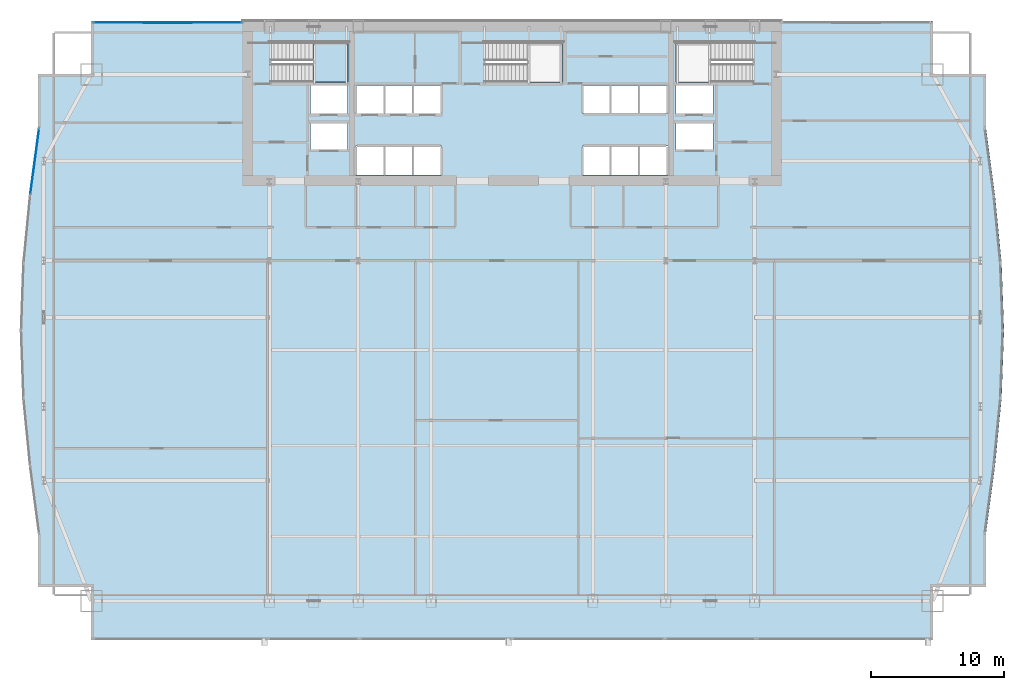
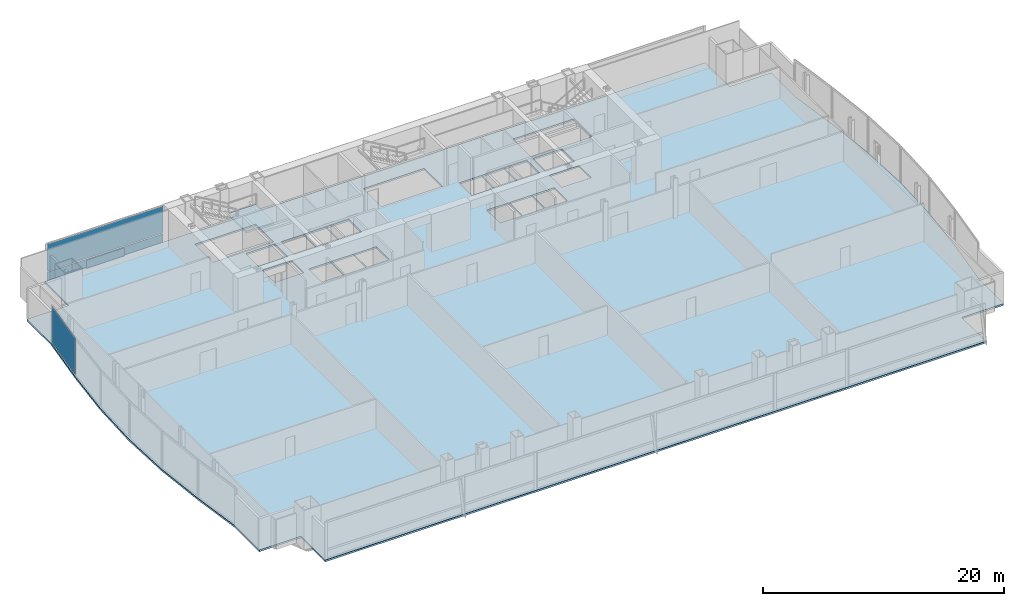
# One storey, part 26 of 35: 4 plates, 2 slabs, 3 elements without a shape of their own.
"""IFC4 building model written with IfcOpenShell, lengths in metres."""

import ifcopenshell
import ifcopenshell.guid

model = None  # the IFC model being written
_history = None  # IfcOwnerHistory: only IFC2X3 demands one
_inside = {}  # id of a spatial element -> (the spatial element, [elements in it])
_under = {}  # id of a project, library or spatial element -> (it, [spatial elements below it])
_declared = {}  # id of a project -> (the project, [libraries it declares])
_typed = {}  # id of a type object -> (the type object, [elements of that type])
_made_of = {}  # id of a material, layer set ... -> (it, [elements and type objects made of it])


def new_model(schema):
    """Start an empty IFC model of exactly this schema.

    Asked for "IFC4X3", IfcOpenShell would pick the latest addendum, in which some entities
    have other attributes; the version numbers below select the first issue.
    IFC2X3 requires an IfcOwnerHistory on every rooted entity: one is made here for all.
    """
    global model, _history
    if schema == "IFC4X3":
        model = ifcopenshell.file(schema_version=(4, 3, 0, 0))
    else:
        model = ifcopenshell.file(schema=schema)
    _inside.clear()
    _under.clear()
    _declared.clear()
    _typed.clear()
    _made_of.clear()
    _history = None
    if model.schema == "IFC2X3":
        org = make("IfcOrganization", Name="unknown")
        user = make(
            "IfcPersonAndOrganization",
            ThePerson=make("IfcPerson", FamilyName="unknown"),
            TheOrganization=org,
        )
        app = make(
            "IfcApplication",
            ApplicationDeveloper=org,
            Version="unknown",
            ApplicationFullName="unknown",
            ApplicationIdentifier="unknown",
        )
        _history = make(
            "IfcOwnerHistory",
            OwningUser=user,
            OwningApplication=app,
            ChangeAction="ADDED",
            CreationDate=0,
        )
    return model


def make(cls, **values):
    """One entity of the class cls with the attributes given. An attribute that is None is left unset."""
    return model.create_entity(
        cls, **{name: value for name, value in values.items() if value is not None}
    )


def rooted(cls, **values):
    """An entity with a GlobalId (a new one), such as an element, a storey or a relation."""
    return make(cls, GlobalId=ifcopenshell.guid.new(), OwnerHistory=_history, **values)


def si_unit(unit_type, name, prefix=None):
    """IfcSIUnit, for example si_unit("LENGTHUNIT", "METRE", prefix="MILLI")."""
    return make("IfcSIUnit", UnitType=unit_type, Prefix=prefix, Name=name)


def assignment(units):
    """IfcUnitAssignment: the units of a project."""
    return None if units is None else make("IfcUnitAssignment", Units=units)


def point(xyz):
    """IfcCartesianPoint."""
    return None if xyz is None else make("IfcCartesianPoint", Coordinates=xyz)


def direction(xyz):
    """IfcDirection."""
    return None if xyz is None else make("IfcDirection", DirectionRatios=xyz)


def frame(location, z_axis=None, x_axis=None):
    """IfcAxis2Placement3D, a coordinate frame: its origin and axes. An axis left out is left unset."""
    return make(
        "IfcAxis2Placement3D",
        Location=point(location),
        Axis=direction(z_axis),
        RefDirection=direction(x_axis),
    )


def frame_2d(location, x_axis=None):
    """IfcAxis2Placement2D, a coordinate frame in the plane: its origin and x axis."""
    return make(
        "IfcAxis2Placement2D", Location=point(location), RefDirection=direction(x_axis)
    )


def origin():
    """The frame at (0, 0, 0) with its axes left unset."""
    return frame((0.0, 0.0, 0.0))


def origin_2d():
    """The frame at (0, 0) in the plane with its x axis left unset."""
    return frame_2d((0.0, 0.0))


def place(relative_to, where):
    """IfcLocalPlacement: puts the frame where relative to a parent placement (None: the world)."""
    return make(
        "IfcLocalPlacement", PlacementRelTo=relative_to, RelativePlacement=where
    )


def context(
    kind, dimensions, precision=None, world=None, true_north=None, identifier=None
):
    """IfcGeometricRepresentationContext, for example the 3D "Model" context."""
    return make(
        "IfcGeometricRepresentationContext",
        ContextIdentifier=identifier,
        ContextType=kind,
        CoordinateSpaceDimension=dimensions,
        Precision=precision,
        WorldCoordinateSystem=world,
        TrueNorth=true_north,
    )


def subcontext(parent, identifier, kind, view, scale=None):
    """IfcGeometricRepresentationSubContext, for example "Body" below "Model"."""
    return make(
        "IfcGeometricRepresentationSubContext",
        ContextIdentifier=identifier,
        ContextType=kind,
        ParentContext=parent,
        TargetScale=scale,
        TargetView=view,
    )


def project(units=None, contexts=None):
    """IfcProject with its units and contexts."""
    return rooted(
        "IfcProject",
        Name="project",
        RepresentationContexts=contexts,
        UnitsInContext=assignment(units),
    )


def spatial(cls, under=None, at=None, **own):
    """A site, building, storey or space (cls), placed at a placement, below another one or the project."""
    s = rooted(cls, ObjectPlacement=at, **own)
    if under is not None:
        _under.setdefault(under.id(), (under, []))[1].append(s)
    return s


def polyline(points):
    """IfcPolyline through the points."""
    return make("IfcPolyline", Points=[point(p) for p in points])


def profile(cls, at=None, kind="AREA", **sizes):
    """A parametric profile (cls). Its sizes go by their IFC names, for example OverallWidth=200.0."""
    return make(cls, ProfileType=kind, Position=at, **sizes)


def rectangle(**sizes):
    """IfcRectangleProfileDef."""
    return profile("IfcRectangleProfileDef", **sizes)


def outline(outer, holes=None, kind="AREA"):
    """IfcArbitraryClosedProfileDef: a profile drawn as a closed curve; with holes, ...WithVoids."""
    if holes is None:
        return make("IfcArbitraryClosedProfileDef", ProfileType=kind, OuterCurve=outer)
    return make(
        "IfcArbitraryProfileDefWithVoids",
        ProfileType=kind,
        OuterCurve=outer,
        InnerCurves=holes,
    )


def extrude(swept, where, along, depth):
    """IfcExtrudedAreaSolid: the profile swept, set in the frame where, extruded along a direction by depth."""
    return make(
        "IfcExtrudedAreaSolid",
        SweptArea=swept,
        Position=where,
        ExtrudedDirection=direction(along),
        Depth=depth,
    )


def shape(context_of_items, identifier, shape_type, items):
    """IfcShapeRepresentation: the items that make up one representation, for example the "Body"."""
    return make(
        "IfcShapeRepresentation",
        ContextOfItems=context_of_items,
        RepresentationIdentifier=identifier,
        RepresentationType=shape_type,
        Items=items,
    )


def material(Name=None, Category=None):
    """IfcMaterial."""
    return make("IfcMaterial", Name=Name, Category=Category)


def layer(
    of_material, thickness, ventilated=None, Name=None, Category=None, Priority=None
):
    """IfcMaterialLayer: one layer of a wall or slab, of a material (None: an air gap)."""
    return make(
        "IfcMaterialLayer",
        Material=of_material,
        LayerThickness=thickness,
        IsVentilated=ventilated,
        Name=Name,
        Category=Category,
        Priority=Priority,
    )


def layer_set(layers, Name=None):
    """IfcMaterialLayerSet."""
    return make("IfcMaterialLayerSet", MaterialLayers=layers, LayerSetName=Name)


def made_of(thing, what):
    """Note that an element or type object is made of a material, layer set ...; save() writes the relation."""
    if what is not None:
        _made_of.setdefault(what.id(), (what, []))[1].append(thing)
    return thing


def type_object(cls, material=None, **own):
    """A type object (cls), such as IfcWallType, which elements share."""
    return made_of(rooted(cls, **own), material)


def element(
    cls,
    number,
    at=None,
    inside=None,
    cuts=None,
    type_object=None,
    material=None,
    context=None,
    identifier="Body",
    shape_type=None,
    held_by="IfcProductDefinitionShape",
    body=None,
    shapes=None,
    **own,
):
    """One element of the class cls, such as IfcWall. Its Tag is "e" and its number.

    at: its placement. inside: the storey or other place that contains it. cuts: it is an
    opening in that element (IfcRelVoidsElement). A single representation is given by context,
    identifier, shape_type and body (its items); several are given by shapes. held_by: the class
    of the entity that holds the representations. save() writes the other relations.
    """
    e = rooted(cls, Tag="e%d" % number, ObjectPlacement=at, **own)
    if body is not None:
        shapes = [shape(context, identifier, shape_type, body)]
    if shapes is not None:
        e.Representation = make(held_by, Representations=shapes)
    if inside is not None:
        _inside.setdefault(inside.id(), (inside, []))[1].append(e)
    if cuts is not None:
        rooted(
            "IfcRelVoidsElement", RelatingBuildingElement=cuts, RelatedOpeningElement=e
        )
    if type_object is not None:
        _typed.setdefault(type_object.id(), (type_object, []))[1].append(e)
    return made_of(e, material)


def aggregate(whole, parts):
    """IfcRelAggregates: a whole, such as a stair, and the parts it consists of."""
    return rooted("IfcRelAggregates", RelatingObject=whole, RelatedObjects=parts)


def save(model, path):
    """Write the relations noted so far, then the file.

    IfcRelAggregates (storeys below a building ...), IfcRelContainedInSpatialStructure (elements
    in a storey), IfcRelDefinesByType, IfcRelAssociatesMaterial and IfcRelDeclares: one each for
    every whole, place, type object, material and project.
    """
    for whole, parts in _under.values():
        aggregate(whole, parts)
    for where, things in _inside.values():
        rooted(
            "IfcRelContainedInSpatialStructure",
            RelatedElements=things,
            RelatingStructure=where,
        )
    for kind, things in _typed.values():
        rooted("IfcRelDefinesByType", RelatedObjects=things, RelatingType=kind)
    for what, things in _made_of.values():
        rooted("IfcRelAssociatesMaterial", RelatedObjects=things, RelatingMaterial=what)
    for by, libraries in _declared.values():
        rooted("IfcRelDeclares", RelatingContext=by, RelatedDefinitions=libraries)
    model.write(path)


model = new_model("IFC4")

# Units and contexts
model_context = context("Model", 3, precision=1e-05, world=origin(), true_north=direction((0.0, 1.0)))
body_context = subcontext(model_context, "Body", "Model", "MODEL_VIEW")
ifc_project = project(units=[si_unit("LENGTHUNIT", "METRE"), si_unit("AREAUNIT", "SQUARE_METRE"), si_unit("VOLUMEUNIT", "CUBIC_METRE"), si_unit("PLANEANGLEUNIT", "RADIAN"), si_unit("MASSUNIT", "GRAM", prefix="KILO")], contexts=[model_context])

# Site, building, storey
site_placement = place(None, origin())
site = spatial("IfcSite", under=ifc_project, at=site_placement, CompositionType="ELEMENT")
building_placement = place(site_placement, origin())
building = spatial("IfcBuilding", under=site, at=building_placement, Name="Khoronbel Lancet Exchange", CompositionType="ELEMENT")
storey_placement = place(building_placement, frame((0.0, 0.0, 69.800048828125)))
storey = spatial("IfcBuildingStorey", under=building, at=storey_placement, Name="L16", CompositionType="ELEMENT", Elevation=69.800048828125)

# Curtain wall, plates
ifc_material_1 = material(Name="Low-E Solar Control Insulating Glass", Category="glass")
curtain_wall_type_1 = type_object("IfcCurtainWallType", Name="CW-1", PredefinedType="NOTDEFINED", material=ifc_material_1)
curtain_wall_1_placement = place(storey_placement, origin())
curtain_wall_1 = element("IfcCurtainWall", 1, at=curtain_wall_1_placement, inside=storey, type_object=curtain_wall_type_1, Name="Unitised curtain wall CW-L16-NWFLK", PredefinedType="NOTDEFINED")
ifc_material_2 = material(Name="Bronze-Anodised Aluminium 6063-T6", Category="aluminium")
ifc_layer_1 = layer(ifc_material_2, 0.050048828125, Name="Bronze-Anodised Aluminium 6063-T6")
ifc_layer_set_1 = layer_set([ifc_layer_1], Name="Bronze-Anodised Aluminium 6063-T6")
plate_type_1 = type_object("IfcPlateType", Name="PLT-CSP1", PredefinedType="SHEET", material=ifc_layer_set_1)
plate_1_placement = place(storey_placement, frame((10.580078125, 53.550048828125, 0.0498046875), z_axis=(0.0, 0.0, 1.0), x_axis=(-1.0, 0.0, 0.0)))
plate_1 = element("IfcPlate", 2, at=plate_1_placement, type_object=plate_type_1, Name="Insulated bronze spandrel cassette CW-L16-NWFLK", PredefinedType="SHEET", context=body_context, shape_type="SweptSolid", body=[
    extrude(rectangle(XDim=3.60009765625, YDim=0.050048828125, at=origin_2d()), origin(), (0.0, 0.0, 1.0), 0.800048828125),
])
ifc_layer_2 = layer(ifc_material_1, 0.035888671875, Name="Low-E Solar Control Insulating Glass")
ifc_layer_set_2 = layer_set([ifc_layer_2], Name="Low-E Solar Control Insulating Glass")
plate_type_2 = type_object("IfcPlateType", Name="PLT-CWP1", PredefinedType="CURTAIN_PANEL", material=ifc_layer_set_2)
plate_2_placement = place(storey_placement, frame((10.580078125, 53.610107421875, 0.0849609375), z_axis=(0.0, 0.0, 1.0), x_axis=(-1.0, 0.0, 0.0)))
plate_2 = element("IfcPlate", 3, at=plate_2_placement, type_object=plate_type_2, Name="CW1 panel 1.1", PredefinedType="CURTAIN_PANEL", context=body_context, shape_type="SweptSolid", body=[
    extrude(rectangle(XDim=11.110107421875, YDim=0.0380859375, at=origin_2d()), origin(), (0.0, 0.0, 1.0), 0.822509765625),
])
plate_3_placement = place(storey_placement, frame((10.580078125, 53.610107421875, 0.99267578125), z_axis=(0.0, 0.0, 1.0), x_axis=(-1.0, 0.0, 0.0)))
plate_3 = element("IfcPlate", 4, at=plate_3_placement, type_object=plate_type_2, Name="CW1 panel 1.2", PredefinedType="CURTAIN_PANEL", context=body_context, shape_type="SweptSolid", body=[
    extrude(rectangle(XDim=11.110107421875, YDim=0.0380859375, at=origin_2d()), origin(), (0.0, 0.0, 1.0), 2.742431640625),
])
aggregate(curtain_wall_1, [plate_2, plate_3, plate_1])

# Curtain wall, plate
curtain_wall_type_2 = type_object("IfcCurtainWallType", Name="CW-4", PredefinedType="NOTDEFINED", material=ifc_material_1)
curtain_wall_2_placement = place(storey_placement, origin())
curtain_wall_2 = element("IfcCurtainWall", 5, at=curtain_wall_2_placement, inside=storey, type_object=curtain_wall_type_2, Name="Unitised curtain wall CW-L16-E09", PredefinedType="NOTDEFINED")
ifc_material_3 = material(Name="Ceramic-Fritted Laminated Insulating Glass", Category="glass")
ifc_layer_3 = layer(ifc_material_3, 0.0419921875, Name="Ceramic-Fritted Laminated Insulating Glass")
ifc_layer_set_3 = layer_set([ifc_layer_3], Name="Ceramic-Fritted Laminated Insulating Glass")
plate_type_3 = type_object("IfcPlateType", Name="PLT-CWP2", PredefinedType="CURTAIN_PANEL", material=ifc_layer_set_3)
plate_4_placement = place(storey_placement, frame((0.600830078125, 43.150146484375, 0.0849609375), z_axis=(0.0, 0.0, 1.0), x_axis=(0.132154786724, 0.991229091757, 0.0)))
plate_4 = element("IfcPlate", 6, at=plate_4_placement, type_object=plate_type_3, Name="CW4 panel 1.1", PredefinedType="CURTAIN_PANEL", context=body_context, shape_type="SweptSolid", body=[
    extrude(rectangle(XDim=4.982666015625, YDim=0.0380859375, at=origin_2d()), origin(), (0.0, 0.0, 1.0), 3.64990234375),
])
aggregate(curtain_wall_2, [plate_4])

# Slab
ifc_material_4 = material(Name="Concrete C40/50", Category="concrete")
ifc_layer_4 = layer(ifc_material_4, 0.179931640625, Name="Concrete C40/50")
ifc_layer_set_4 = layer_set([ifc_layer_4], Name="Concrete C40/50")
slab_type_1 = type_object("IfcSlabType", Name="SL-FL180", PredefinedType="FLOOR", material=ifc_layer_set_4)
slab_1_placement = place(storey_placement, frame((0.0, 0.0, -0.179931640625)))
element("IfcSlab", 7, at=slab_1_placement, inside=storey, type_object=slab_type_1, Name="Level L16 composite structural floor slab", PredefinedType="FLOOR", context=body_context, shape_type="SweptSolid", body=[
    extrude(outline(polyline([(4.85009765625, 7.199951171875), (68.050048828125, 7.199951171875), (68.050048828125, 11.199951171875), (72.050048828125, 11.199951171875), (72.050048828125, 15.199951171875), (72.727783203125, 20.283203125), (73.223876953125, 25.36669921875), (73.405517578125, 30.449951171875), (73.223876953125, 35.533203125), (72.727783203125, 40.61669921875), (72.050048828125, 45.699951171875), (72.050048828125, 49.699951171875), (68.050048828125, 49.699951171875), (68.050048828125, 53.699951171875), (4.85009765625, 53.699951171875), (4.85009765625, 49.699951171875), (0.85009765625, 49.699951171875), (0.85009765625, 45.699951171875), (0.17236328125, 40.61669921875), (-0.32373046875, 35.533203125), (-0.50537109375, 30.449951171875), (-0.32373046875, 25.36669921875), (0.17236328125, 20.283203125), (0.85009765625, 15.199951171875), (0.85009765625, 11.199951171875), (4.85009765625, 11.199951171875), (4.85009765625, 7.199951171875)]), holes=[polyline([(18.324951171875, 49.1201171875), (24.14990234375, 49.1201171875), (24.14990234375, 52.10009765625), (18.324951171875, 52.10009765625), (18.324951171875, 49.1201171875)]), polyline([(48.75, 49.1201171875), (54.574951171875, 49.1201171875), (54.574951171875, 52.10009765625), (48.75, 52.10009765625), (48.75, 49.1201171875)]), polyline([(34.425048828125, 49.1201171875), (40.25, 49.1201171875), (40.25, 52.10009765625), (34.425048828125, 52.10009765625), (34.425048828125, 49.1201171875)]), polyline([(24.699951171875, 46.75), (26.840087890625, 46.75), (26.840087890625, 48.85009765625), (24.699951171875, 48.85009765625), (24.699951171875, 46.75)]), polyline([(26.860107421875, 46.75), (29.0, 46.75), (29.0, 48.85009765625), (26.860107421875, 48.85009765625), (26.860107421875, 46.75)]), polyline([(29.02001953125, 46.75), (31.159912109375, 46.75), (31.159912109375, 48.85009765625), (29.02001953125, 48.85009765625), (29.02001953125, 46.75)]), polyline([(24.699951171875, 42.14990234375), (26.840087890625, 42.14990234375), (26.840087890625, 44.300048828125), (24.699951171875, 44.300048828125), (24.699951171875, 42.14990234375)]), polyline([(26.860107421875, 42.14990234375), (29.0, 42.14990234375), (29.0, 44.300048828125), (26.860107421875, 44.300048828125), (26.860107421875, 42.14990234375)]), polyline([(29.02001953125, 42.14990234375), (31.159912109375, 42.14990234375), (31.159912109375, 44.300048828125), (29.02001953125, 44.300048828125), (29.02001953125, 42.14990234375)]), polyline([(41.739990234375, 46.75), (43.8798828125, 46.75), (43.8798828125, 48.85009765625), (41.739990234375, 48.85009765625), (41.739990234375, 46.75)]), polyline([(43.89990234375, 46.75), (46.0400390625, 46.75), (46.0400390625, 48.85009765625), (43.89990234375, 48.85009765625), (43.89990234375, 46.75)]), polyline([(46.06005859375, 46.75), (48.199951171875, 46.75), (48.199951171875, 48.85009765625), (46.06005859375, 48.85009765625), (46.06005859375, 46.75)]), polyline([(41.739990234375, 42.14990234375), (43.8798828125, 42.14990234375), (43.8798828125, 44.300048828125), (41.739990234375, 44.300048828125), (41.739990234375, 42.14990234375)]), polyline([(43.89990234375, 42.14990234375), (46.0400390625, 42.14990234375), (46.0400390625, 44.300048828125), (43.89990234375, 44.300048828125), (43.89990234375, 42.14990234375)]), polyline([(46.06005859375, 42.14990234375), (48.199951171875, 42.14990234375), (48.199951171875, 44.300048828125), (46.06005859375, 44.300048828125), (46.06005859375, 42.14990234375)]), polyline([(21.300048828125, 46.75), (24.10009765625, 46.75), (24.10009765625, 48.85009765625), (21.300048828125, 48.85009765625), (21.300048828125, 46.75)]), polyline([(48.75, 46.75), (51.550048828125, 46.75), (51.550048828125, 48.85009765625), (48.75, 48.85009765625), (48.75, 46.75)]), polyline([(21.300048828125, 44.050048828125), (24.10009765625, 44.050048828125), (24.10009765625, 46.050048828125), (21.300048828125, 46.050048828125), (21.300048828125, 44.050048828125)]), polyline([(48.75, 44.050048828125), (51.550048828125, 44.050048828125), (51.550048828125, 46.050048828125), (48.75, 46.050048828125), (48.75, 44.050048828125)])]), origin(), (0.0, 0.0, 1.0), 0.179931640625),
])

# Stair, slab
stair_type = type_object("IfcStairType", Name="STR-CORE150", PredefinedType="HALF_TURN_STAIR", material=ifc_material_4)
stair_placement = place(storey_placement, origin())
stair = element("IfcStair", 8, at=stair_placement, inside=storey, type_object=stair_type, Name="L16 Protected Exit Stair ST1", PredefinedType="HALF_TURN_STAIR")
ifc_layer_5 = layer(ifc_material_4, 0.199951171875, Name="Concrete C40/50")
ifc_layer_set_5 = layer_set([ifc_layer_5], Name="Concrete C40/50")
slab_type_2 = type_object("IfcSlabType", Name="SL-LND180", PredefinedType="LANDING", material=ifc_layer_set_5)
slab_2_placement = place(storey_placement, frame((0.0, 0.0, 1.800048828125)))
slab_2 = element("IfcSlab", 9, at=slab_2_placement, type_object=slab_type_2, Name="ST1 landing 1", PredefinedType="LANDING", context=body_context, shape_type="SweptSolid", body=[
    extrude(outline(polyline([(21.489990234375, 49.1201171875), (24.14990234375, 49.1201171875), (24.14990234375, 52.10009765625), (21.489990234375, 52.10009765625), (21.489990234375, 49.1201171875)])), origin(), (0.0, 0.0, 1.0), 0.199951171875),
])
aggregate(stair, [slab_2])

save(model, "model.ifc")
